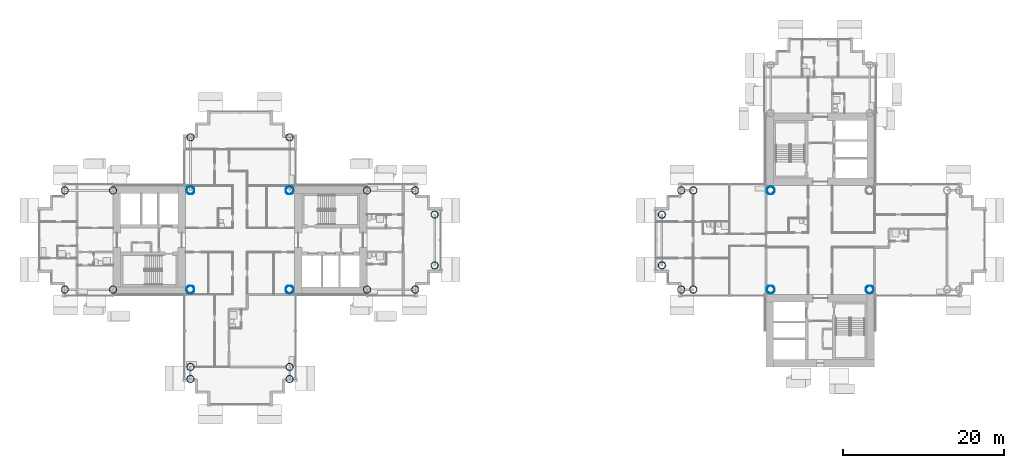
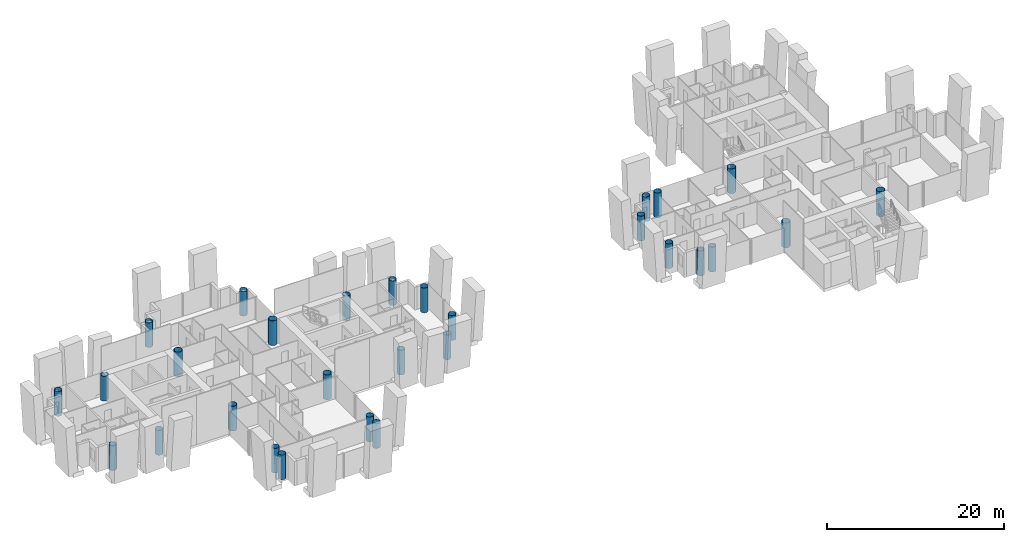
# One storey, part 1 of 21: 29 columns.
"""IFC4 building model written with IfcOpenShell, lengths in metres."""

from ifc_helpers import new_model, si_unit, direction, frame, origin, origin_2d, place, context, subcontext, project, spatial, hollow_circle, extrude, material, material_profile, profile_set, type_object, element, save


model = new_model("IFC4")

# Units and contexts
model_context = context("Model", 3, precision=1e-05, world=origin(), true_north=direction((0.0, 1.0)))
body_context = subcontext(model_context, "Body", "Model", "MODEL_VIEW")
ifc_project = project(units=[si_unit("LENGTHUNIT", "METRE"), si_unit("AREAUNIT", "SQUARE_METRE"), si_unit("VOLUMEUNIT", "CUBIC_METRE"), si_unit("PLANEANGLEUNIT", "RADIAN"), si_unit("MASSUNIT", "GRAM", prefix="KILO")], contexts=[model_context])

# Site, building, storey
site_placement = place(None, origin())
site = spatial("IfcSite", under=ifc_project, at=site_placement, CompositionType="ELEMENT")
building_placement = place(site_placement, origin())
building = spatial("IfcBuilding", under=site, at=building_placement, Name="Ipe Terrace Towers", CompositionType="ELEMENT")
storey_placement = place(building_placement, frame((0.0, 0.0, 114.0)))
storey = spatial("IfcBuildingStorey", under=building, at=storey_placement, Name="L31", CompositionType="ELEMENT", Elevation=114.0)

# Columns
ifc_material_1 = material(Name="Steel S355 tube with Concrete C60/75 fill", Category="concrete")
ifc_material_profile_1 = material_profile(ifc_material_1, hollow_circle(Radius=0.5, WallThickness=0.035888671875, at=origin_2d()), Name="CHS-1000x36")
ifc_profile_set_1 = profile_set([ifc_material_profile_1], Name="Steel S355 tube with Concrete C60/75 fill")
column_type_1 = type_object("IfcColumnType", Name="CH01 COLUMN CHS-1000x36", PredefinedType="COLUMN", material=ifc_profile_set_1)
for number, where, z_axis, x_axis, name in (
    (1, (-42.14990234375, -6.14990234375, 0.0), (0.0, 0.0, 1.0), (1.0, 0.0, 0.0), "Column T1-C-E01"),
    (2, (-29.85009765625, -6.14990234375, 0.0), (0.0, 0.0, 1.0), (1.0, 0.0, 0.0), "Column T1-C-E02"),
    (3, (-29.85009765625, 6.14990234375, 0.0), (0.0, 0.0, 1.0), (1.0, 0.0, 0.0), "Column T1-C-E03"),
    (4, (-42.14990234375, 6.14990234375, 0.0), (0.0, 0.0, 1.0), (1.0, 0.0, 0.0), "Column T1-C-E04"),
    (5, (42.14990234375, -6.14990234375, 0.0), (0.0, 0.0, 1.0), (1.0, 0.0, 0.0), "Column T2-C-E01"),
    (6, (29.85009765625, 6.14990234375, 0.0), (0.0, 0.0, 1.0), (1.0, 0.0, 0.0), "Column T2-C-E03"),
    (7, (29.85009765625, -6.14990234375, 0.0), (0.0, 0.0, 1.0), (1.0, 0.0, 0.0), "Column T2-C-E04"),
):
    element("IfcColumn", number, at=place(storey_placement, frame(where, z_axis=z_axis, x_axis=x_axis)), inside=storey, type_object=column_type_1, Name=name, PredefinedType="COLUMN", context=body_context, shape_type="SweptSolid", body=[
        extrude(hollow_circle(Radius=0.5, WallThickness=0.035888671875, at=origin_2d()), origin(), (0.0, 0.0, 1.0), 3.39990234375),
    ])
ifc_material_2 = material(Name="Steel S355 tube with Concrete C60/75 fill", Category="concrete")
ifc_material_profile_2 = material_profile(ifc_material_2, hollow_circle(Radius=0.449951171875, WallThickness=0.031982421875, at=origin_2d()), Name="CHS-900x32")
ifc_profile_set_2 = profile_set([ifc_material_profile_2], Name="Steel S355 tube with Concrete C60/75 fill")
column_type_2 = type_object("IfcColumnType", Name="CH10 COLUMN CHS-900x32", PredefinedType="COLUMN", material=ifc_profile_set_2)
for number, where, z_axis, x_axis, name in (
    (8, (-20.25, -6.14990234375, 0.0), (0.0, 0.0, 1.0), (1.0, 0.0, 0.0), "Column T1-C-A01"),
    (9, (-20.25, 6.14990234375, 0.0), (0.0, 0.0, 1.0), (1.0, 0.0, 0.0), "Column T1-C-A02"),
    (10, (-14.25, -6.14990234375, 0.0), (0.0, 0.0, 1.0), (1.0, 0.0, 0.0), "Column T1-C-A03"),
    (11, (-14.25, 6.14990234375, 0.0), (0.0, 0.0, 1.0), (1.0, 0.0, 0.0), "Column T1-C-A04"),
    (12, (-11.85009765625, -3.14990234375, 0.0), (0.0, 0.0, 1.0), (1.0, 0.0, 0.0), "Column T1-C-A05"),
    (13, (-11.85009765625, 3.14990234375, 0.0), (0.0, 0.0, 1.0), (1.0, 0.0, 0.0), "Column T1-C-A06"),
    (14, (-29.85009765625, 12.75, 0.0), (0.0, 0.0, 1.0), (1.0, 0.0, 0.0), "Column T1-C-B01"),
    (15, (-42.14990234375, 12.75, 0.0), (0.0, 0.0, 1.0), (1.0, 0.0, 0.0), "Column T1-C-B02"),
    (16, (-51.75, -6.14990234375, 0.0), (0.0, 0.0, 1.0), (1.0, 0.0, 0.0), "Column T1-C-C01"),
    (17, (-51.75, 6.14990234375, 0.0), (0.0, 0.0, 1.0), (1.0, 0.0, 0.0), "Column T1-C-C02"),
    (18, (-57.75, -6.14990234375, 0.0), (0.0, 0.0, 1.0), (1.0, 0.0, 0.0), "Column T1-C-C03"),
    (19, (-57.75, 6.14990234375, 0.0), (0.0, 0.0, 1.0), (1.0, 0.0, 0.0), "Column T1-C-C04"),
    (20, (-42.14990234375, -15.75, 0.0), (0.0, 0.0, 1.0), (1.0, 0.0, 0.0), "Column T1-C-D03"),
    (21, (-29.85009765625, -15.75, 0.0), (0.0, 0.0, 1.0), (1.0, 0.0, 0.0), "Column T1-C-D04"),
    (22, (-42.14990234375, -17.25, 0.0), (0.0, 0.0, 1.0), (1.0, 0.0, 0.0), "Column T1-C-D05"),
    (23, (-29.85009765625, -17.25, 0.0), (0.0, 0.0, 1.0), (1.0, 0.0, 0.0), "Column T1-C-D06"),
    (24, (20.25, 6.14990234375, 0.0), (0.0, 0.0, 1.0), (1.0, 0.0, 0.0), "Column T2-C-B03"),
    (25, (20.25, -6.14990234375, 0.0), (0.0, 0.0, 1.0), (1.0, 0.0, 0.0), "Column T2-C-B04"),
    (26, (18.75, 6.14990234375, 0.0), (0.0, 0.0, 1.0), (1.0, 0.0, 0.0), "Column T2-C-B05"),
    (27, (18.75, -6.14990234375, 0.0), (0.0, 0.0, 1.0), (1.0, 0.0, 0.0), "Column T2-C-B06"),
    (28, (16.35009765625, 3.14990234375, 0.0), (0.0, 0.0, 1.0), (1.0, 0.0, 0.0), "Column T2-C-B07"),
    (29, (16.35009765625, -3.14990234375, 0.0), (0.0, 0.0, 1.0), (1.0, 0.0, 0.0), "Column T2-C-B08"),
):
    element("IfcColumn", number, at=place(storey_placement, frame(where, z_axis=z_axis, x_axis=x_axis)), inside=storey, type_object=column_type_2, Name=name, PredefinedType="COLUMN", context=body_context, shape_type="SweptSolid", body=[
        extrude(hollow_circle(Radius=0.449951171875, WallThickness=0.031982421875, at=origin_2d()), origin(), (0.0, 0.0, 1.0), 3.39990234375),
    ])

save(model, "model.ifc")
